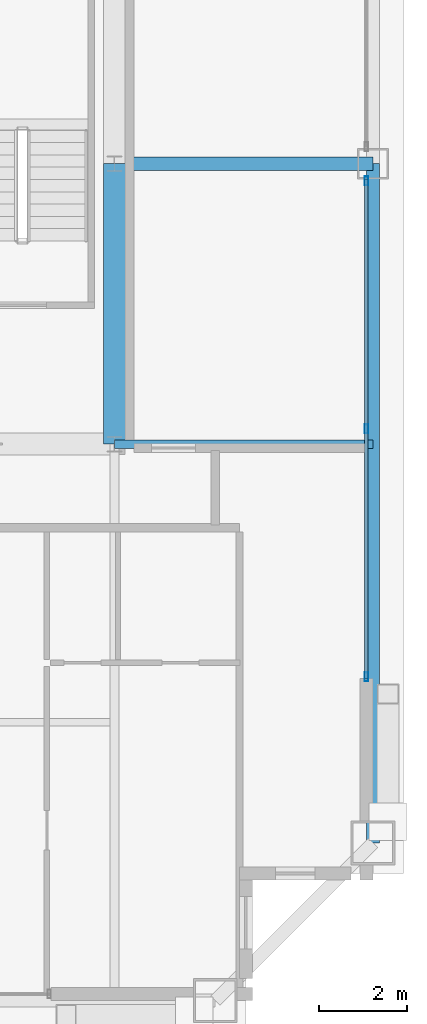
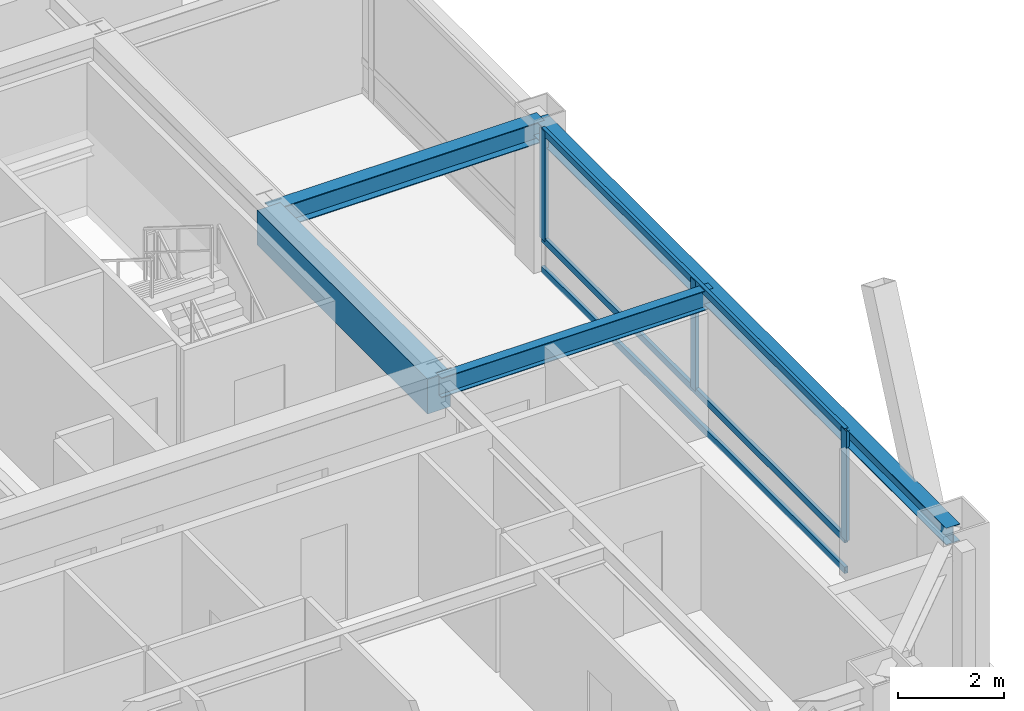
# One storey, part 13 of 35: 6 members, 4 beams, 1 element without a shape of its own.
"""IFC4 building model written with IfcOpenShell, lengths in metres."""

from ifc_helpers import new_model, si_unit, direction, frame, origin, origin_2d, place, context, subcontext, project, spatial, rectangle, hollow_rectangle, i_section, extrude, source, transform, mapped, material, layer, layer_set, material_profile, profile_set, type_object, element, aggregate, save


model = new_model("IFC4")

# Units and contexts
model_context = context("Model", 3, precision=1e-05, world=origin(), true_north=direction((0.0, 1.0)))
body_context = subcontext(model_context, "Body", "Model", "MODEL_VIEW")
ifc_project = project(units=[si_unit("LENGTHUNIT", "METRE"), si_unit("AREAUNIT", "SQUARE_METRE"), si_unit("VOLUMEUNIT", "CUBIC_METRE"), si_unit("PLANEANGLEUNIT", "RADIAN"), si_unit("MASSUNIT", "GRAM", prefix="KILO"), si_unit("THERMODYNAMICTEMPERATUREUNIT", "KELVIN"), si_unit("POWERUNIT", "WATT")], contexts=[model_context])

# Site, building, storey
site_placement = place(None, origin())
site = spatial("IfcSite", under=ifc_project, at=site_placement, CompositionType="ELEMENT")
building_placement = place(site_placement, origin())
building = spatial("IfcBuilding", under=site, at=building_placement, Name="Yuzanri Waterfront Tower", CompositionType="ELEMENT")
storey_placement = place(building_placement, frame((0.0, 0.0, 299.60009765625)))
storey = spatial("IfcBuildingStorey", under=building, at=storey_placement, Name="L80", CompositionType="ELEMENT", Elevation=299.60009765625)

# Beams
ifc_material_1 = material(Name="Concrete C50", Category="concrete")
ifc_material_profile_1 = material_profile(ifc_material_1, rectangle(XDim=0.5, YDim=0.800048828125, at=origin_2d()), Name="RC 500x800")
ifc_profile_set_1 = profile_set([ifc_material_profile_1], Name="Concrete C50")
beam_type_1 = type_object("IfcBeamType", Name="Core Coupling Lintel Concrete C50 500x800", PredefinedType="LINTEL", material=ifc_profile_set_1)
shared_shape_1 = source(origin(), body_context, "Body", "SweptSolid", [
    extrude(rectangle(XDim=0.5, YDim=0.800048828125, at=origin_2d()), origin(), (0.0, 0.0, 1.0), 6.400146484375),
])
beam_1_placement = place(storey_placement, frame((50.199951171875, 19.39990234375, 2.8798828125), z_axis=(0.0, 1.0, 0.0), x_axis=(-1.0, 0.0, 0.0)))
element("IfcBeam", 1, at=beam_1_placement, inside=storey, type_object=beam_type_1, Name="L80 Core Tie Beam CE1", PredefinedType="LINTEL", context=body_context, shape_type="MappedRepresentation", body=[
    mapped(shared_shape_1, transform((0.0, 0.0, 0.0), scale=1.0)),
])
ifc_material_2 = material(Name="Steel Q355B", Category="steel")
ifc_material_profile_2 = material_profile(ifc_material_2, i_section(OverallWidth=0.300048828125, OverallDepth=0.389892578125, WebThickness=0.010009765625, FlangeThickness=0.01611328125, at=origin_2d()), Name="HM 390x300x10x16")
ifc_profile_set_2 = profile_set([ifc_material_profile_2], Name="Steel Q355B")
beam_type_2 = type_object("IfcBeamType", Name="Perimeter Spandrel Q355B HM 390x300", PredefinedType="SPANDREL", material=ifc_profile_set_2)
shared_shape_2 = source(origin(), body_context, "Body", "SweptSolid", [
    extrude(i_section(OverallWidth=0.300048828125, OverallDepth=0.389892578125, WebThickness=0.010009765625, FlangeThickness=0.01611328125, at=origin_2d()), origin(), (0.0, 0.0, 1.0), 15.5),
])
beam_2_placement = place(storey_placement, frame((56.10009765625, 10.300048828125, 3.0849609375), z_axis=(0.0, 1.0, 0.0), x_axis=(-1.0, 0.0, 0.0)))
element("IfcBeam", 2, at=beam_2_placement, inside=storey, type_object=beam_type_2, Name="L80 Perimeter Spandrel E1-E2", PredefinedType="SPANDREL", context=body_context, shape_type="MappedRepresentation", body=[
    mapped(shared_shape_2, transform((0.0, 0.0, 0.0), scale=1.0)),
])
ifc_material_3 = material(Name="Steel Q355B", Category="steel")
ifc_material_profile_3 = material_profile(ifc_material_3, i_section(OverallWidth=0.300048828125, OverallDepth=0.488037109375, WebThickness=0.010986328125, FlangeThickness=0.01806640625, at=origin_2d()), Name="HM 488x300x11x18")
ifc_profile_set_3 = profile_set([ifc_material_profile_3], Name="Steel Q355B")
beam_type_3 = type_object("IfcBeamType", Name="Primary Floor Girder Q355B HM 488x300", PredefinedType="BEAM", material=ifc_profile_set_3)
shared_shape_3 = source(origin(), body_context, "Body", "SweptSolid", [
    extrude(i_section(OverallWidth=0.300048828125, OverallDepth=0.488037109375, WebThickness=0.010986328125, FlangeThickness=0.01806640625, at=origin_2d()), origin(), (0.0, 0.0, 1.0), 5.900146484375),
])
beam_3_placement = place(storey_placement, frame((50.199951171875, 25.800048828125, 3.035888671875), z_axis=(1.0, 0.0, 0.0), x_axis=(0.0, 1.0, 0.0)))
element("IfcBeam", 3, at=beam_3_placement, inside=storey, type_object=beam_type_3, Name="L80 East Grid Girder", PredefinedType="BEAM", context=body_context, shape_type="MappedRepresentation", body=[
    mapped(shared_shape_3, transform((0.0, 0.0, 0.0), scale=1.0)),
])
ifc_material_4 = material(Name="Steel Q355B", Category="steel")
ifc_material_profile_4 = material_profile(ifc_material_4, i_section(OverallWidth=0.199951171875, OverallDepth=0.449951171875, WebThickness=0.009033203125, FlangeThickness=0.013916015625, at=origin_2d()), Name="HN 450x200x9x14")
ifc_profile_set_4 = profile_set([ifc_material_profile_4], Name="Steel Q355B")
beam_type_4 = type_object("IfcBeamType", Name="Secondary Floor Beam Q355B HN 450x200", PredefinedType="BEAM", material=ifc_profile_set_4)
shared_shape_4 = source(origin(), body_context, "Body", "SweptSolid", [
    extrude(i_section(OverallWidth=0.199951171875, OverallDepth=0.449951171875, WebThickness=0.009033203125, FlangeThickness=0.013916015625, at=origin_2d()), origin(), (0.0, 0.0, 1.0), 5.900146484375),
])
beam_4_placement = place(storey_placement, frame((50.199951171875, 19.39990234375, 3.054931640625), z_axis=(1.0, 0.0, 0.0), x_axis=(0.0, 1.0, 0.0)))
element("IfcBeam", 4, at=beam_4_placement, inside=storey, type_object=beam_type_4, Name="L80 East-South Core Line Beam", PredefinedType="BEAM", context=body_context, shape_type="MappedRepresentation", body=[
    mapped(shared_shape_4, transform((0.0, 0.0, 0.0), scale=1.0)),
])

# Curtain wall, members
ifc_material_5 = material(Name="Anodized Architectural Bronze", Category="metal")
ifc_layer = layer(ifc_material_5, 0.159912109375)
ifc_layer_set = layer_set([ifc_layer], Name="Anodized Architectural Bronze")
curtain_wall_type = type_object("IfcCurtainWallType", Name="Anodized Bronze High-Rise Penthouse High-Wind Unitized Curtain Wall 6900", PredefinedType="NOTDEFINED", material=ifc_layer_set)
curtain_wall_placement = place(storey_placement, origin())
curtain_wall = element("IfcCurtainWall", 5, at=curtain_wall_placement, inside=storey, type_object=curtain_wall_type, Name="L80 Curtain Wall CW-L80-EL", PredefinedType="NOTDEFINED")
ifc_material_6 = material(Name="Anodized Architectural Bronze", Category="metal")
ifc_material_profile_5 = material_profile(ifc_material_6, hollow_rectangle(XDim=0.074951171875, YDim=0.199951171875, WallThickness=0.00390625, at=origin_2d()), Name="CWM 75x200")
ifc_profile_set_5 = profile_set([ifc_material_profile_5], Name="Anodized Architectural Bronze")
member_type_1 = type_object("IfcMemberType", Name="Anodized Bronze Primary Curtain-Wall Mullion 75x200", PredefinedType="MULLION", material=ifc_profile_set_5)
shared_shape_5 = source(origin(), body_context, "Body", "SweptSolid", [
    extrude(hollow_rectangle(XDim=0.074951171875, YDim=0.199951171875, WallThickness=0.00390625, at=origin_2d()), origin(), (0.0, 0.0, 1.0), 2.52392578125),
])
member_1_placement = place(storey_placement, frame((55.949951171875, 14.090087890625, 0.755859375), z_axis=(0.0, 0.0, 1.0), x_axis=(1.0, 0.0, 0.0)))
member_1 = element("IfcMember", 6, at=member_1_placement, type_object=member_type_1, Name="CW-L80-EL Upper Mullion 00", PredefinedType="MULLION", context=body_context, shape_type="MappedRepresentation", body=[
    mapped(shared_shape_5, transform((0.0, 0.0, 0.0), scale=1.0)),
])
member_2_placement = place(storey_placement, frame((55.949951171875, 19.75, 0.755859375), z_axis=(0.0, 0.0, 1.0), x_axis=(1.0, 0.0, 0.0)))
member_2 = element("IfcMember", 7, at=member_2_placement, type_object=member_type_1, Name="CW-L80-EL Upper Mullion 01", PredefinedType="MULLION", context=body_context, shape_type="MappedRepresentation", body=[
    mapped(shared_shape_5, transform((0.0, 0.0, 0.0), scale=1.0)),
])
member_3_placement = place(storey_placement, frame((55.949951171875, 25.409912109375, 0.755859375), z_axis=(0.0, 0.0, 1.0), x_axis=(1.0, 0.0, 0.0)))
member_3 = element("IfcMember", 8, at=member_3_placement, type_object=member_type_1, Name="CW-L80-EL Upper Mullion 02", PredefinedType="MULLION", context=body_context, shape_type="MappedRepresentation", body=[
    mapped(shared_shape_5, transform((0.0, 0.0, 0.0), scale=1.0)),
])
ifc_material_7 = material(Name="Anodized Architectural Bronze", Category="metal")
ifc_material_profile_6 = material_profile(ifc_material_7, hollow_rectangle(XDim=0.074951171875, YDim=0.14990234375, WallThickness=0.00390625, at=origin_2d()), Name="CWT 75x150")
ifc_profile_set_6 = profile_set([ifc_material_profile_6], Name="Anodized Architectural Bronze")
member_type_2 = type_object("IfcMemberType", Name="Anodized Bronze Primary Curtain-Wall Transom 75x150", PredefinedType="USERDEFINED", material=ifc_profile_set_6)
shared_shape_6 = source(origin(), body_context, "Body", "SweptSolid", [
    extrude(hollow_rectangle(XDim=0.074951171875, YDim=0.14990234375, WallThickness=0.00390625, at=origin_2d()), origin(), (0.0, 0.0, 1.0), 11.39990234375),
])
member_4_placement = place(storey_placement, frame((55.949951171875, 14.050048828125, 0.0498046875), z_axis=(0.0, 1.0, 0.0), x_axis=(-1.0, 0.0, 0.0)))
member_4 = element("IfcMember", 9, at=member_4_placement, type_object=member_type_2, Name="CW-L80-EL Transom 1", ObjectType="TRANSOM", PredefinedType="USERDEFINED", context=body_context, shape_type="MappedRepresentation", body=[
    mapped(shared_shape_6, transform((0.0, 0.0, 0.0), scale=1.0)),
])
member_5_placement = place(storey_placement, frame((55.949951171875, 14.050048828125, 0.75390625), z_axis=(0.0, 1.0, 0.0), x_axis=(-1.0, 0.0, 0.0)))
member_5 = element("IfcMember", 10, at=member_5_placement, type_object=member_type_2, Name="CW-L80-EL Transom 2", ObjectType="TRANSOM", PredefinedType="USERDEFINED", context=body_context, shape_type="MappedRepresentation", body=[
    mapped(shared_shape_6, transform((0.0, 0.0, 0.0), scale=1.0)),
])
member_6_placement = place(storey_placement, frame((55.949951171875, 14.050048828125, 3.22998046875), z_axis=(0.0, 1.0, 0.0), x_axis=(-1.0, 0.0, 0.0)))
member_6 = element("IfcMember", 11, at=member_6_placement, type_object=member_type_2, Name="CW-L80-EL Transom 3", ObjectType="TRANSOM", PredefinedType="USERDEFINED", context=body_context, shape_type="MappedRepresentation", body=[
    mapped(shared_shape_6, transform((0.0, 0.0, 0.0), scale=1.0)),
])
aggregate(curtain_wall, [member_1, member_2, member_3, member_4, member_5, member_6])

save(model, "model.ifc")
